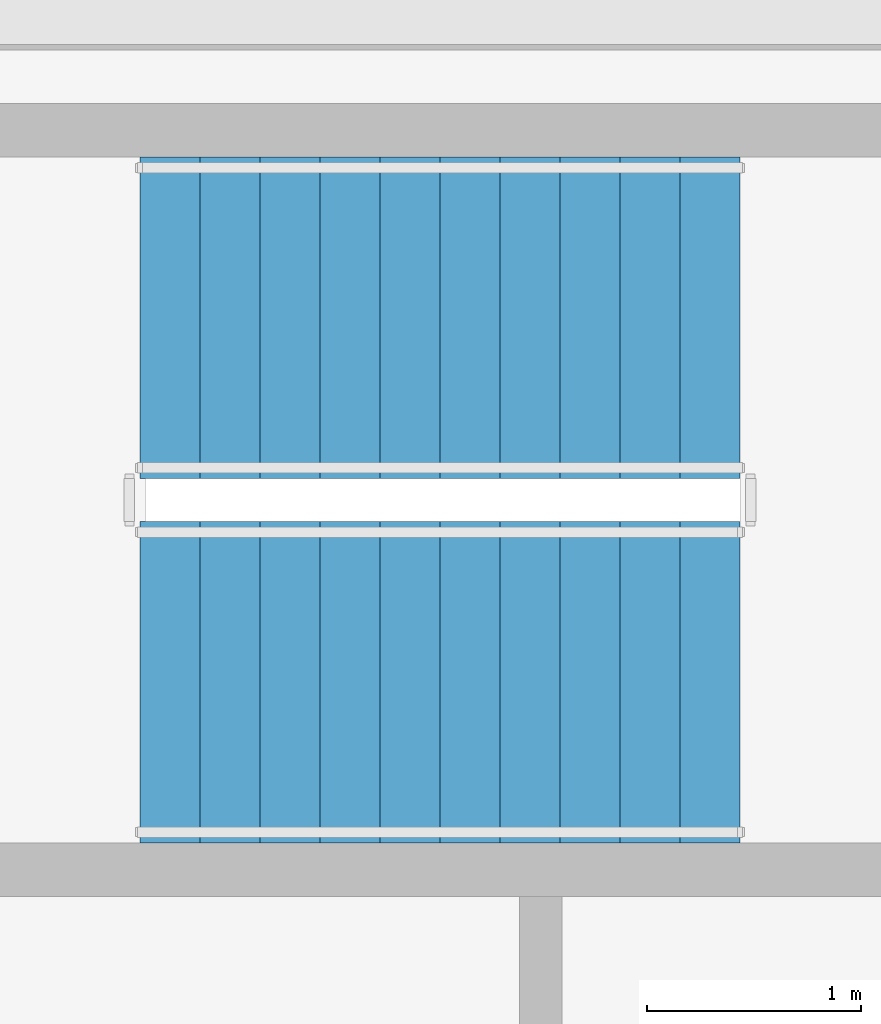
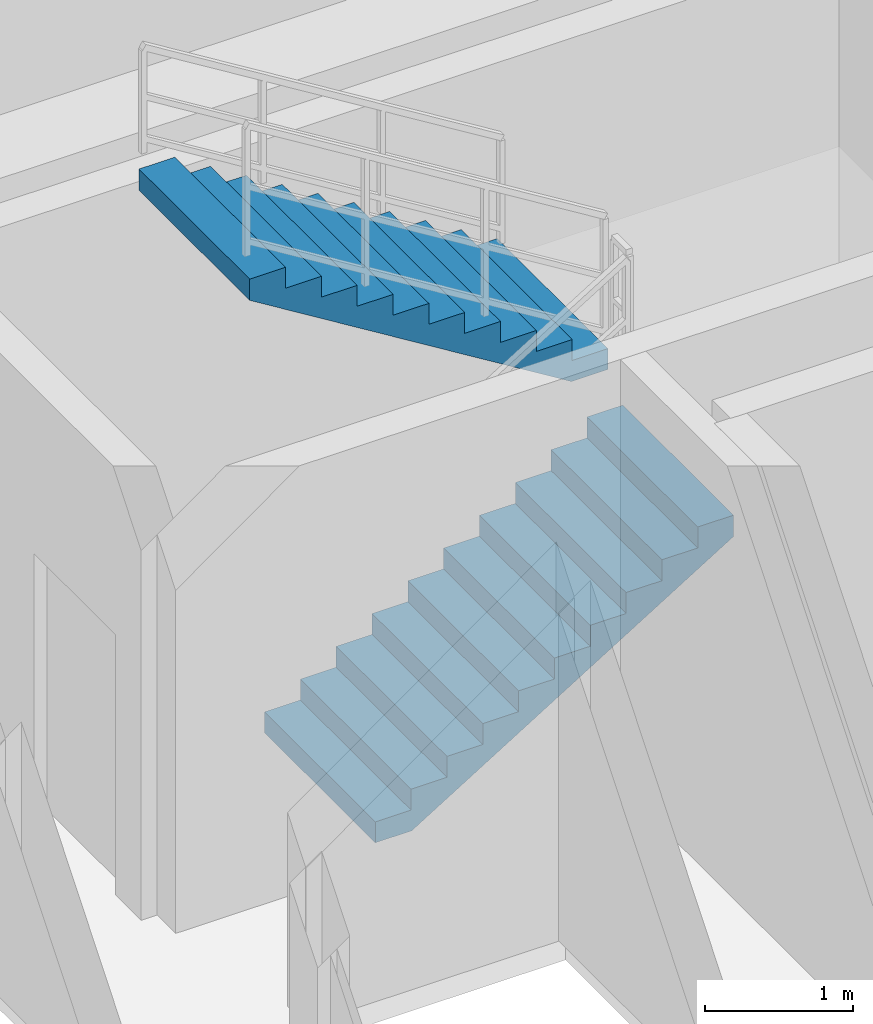
# One storey, part 11 of 14: 2 stair flights, 1 element without a shape of its own.
"""IFC4 building model written with IfcOpenShell, lengths in metres."""

from ifc_helpers import new_model, si_unit, direction, frame, origin, place, context, subcontext, project, spatial, polyline, outline, extrude, material, type_object, element, aggregate, save


model = new_model("IFC4")

# Units and contexts
model_context = context("Model", 3, precision=1e-05, world=origin(), true_north=direction((0.0, 1.0)))
body_context = subcontext(model_context, "Body", "Model", "MODEL_VIEW")
ifc_project = project(units=[si_unit("LENGTHUNIT", "METRE"), si_unit("AREAUNIT", "SQUARE_METRE"), si_unit("VOLUMEUNIT", "CUBIC_METRE"), si_unit("PLANEANGLEUNIT", "RADIAN"), si_unit("MASSUNIT", "GRAM", prefix="KILO")], contexts=[model_context])

# Site, building, storey
site_placement = place(None, origin())
site = spatial("IfcSite", under=ifc_project, at=site_placement, CompositionType="ELEMENT")
building_placement = place(site_placement, origin())
building = spatial("IfcBuilding", under=site, at=building_placement, Name="Zulverin Broadcast Headquarters", CompositionType="ELEMENT")
storey_placement = place(building_placement, frame((0.0, 0.0, 40.199951171875)))
storey = spatial("IfcBuildingStorey", under=building, at=storey_placement, Name="L09", CompositionType="ELEMENT", Elevation=40.199951171875)

# Stair, stair flights
ifc_material = material(Name="Concrete C40/50", Category="concrete")
stair_type = type_object("IfcStairType", Name="ST-CORE-1500", PredefinedType="HALF_TURN_STAIR", material=ifc_material)
stair_placement = place(storey_placement, origin())
stair = element("IfcStair", 1, at=stair_placement, inside=storey, type_object=stair_type, Name="L09 Core Exit Stair ST-1", PredefinedType="HALF_TURN_STAIR")
stair_flight_type = type_object("IfcStairFlightType", Name="SF-CORE-1500", PredefinedType="STRAIGHT", material=ifc_material)
stair_flight_1_placement = place(storey_placement, frame((40.1298828125, 29.800048828125, 0.0), z_axis=(0.0, 0.0, 1.0), x_axis=(1.0, 0.0, 0.0)))
stair_flight_1 = element("IfcStairFlight", 2, at=stair_flight_1_placement, type_object=stair_flight_type, Name="ST-1 flight 1", NumberOfRisers=11, NumberOfTreads=10, PredefinedType="STRAIGHT", RiserHeight=0.172727273, TreadLength=0.28, context=body_context, shape_type="SweptSolid", body=[
    extrude(outline(polyline([(0.0, 0.0), (0.0, 0.172607421875), (0.280029296875, 0.172607421875), (0.280029296875, 0.345458984375), (0.56005859375, 0.345458984375), (0.56005859375, 0.51806640625), (0.840087890625, 0.51806640625), (0.840087890625, 0.69091796875), (1.1201171875, 0.69091796875), (1.1201171875, 0.863525390625), (1.39990234375, 0.863525390625), (1.39990234375, 1.036376953125), (1.679931640625, 1.036376953125), (1.679931640625, 1.208984375), (1.9599609375, 1.208984375), (1.9599609375, 1.3818359375), (2.239990234375, 1.3818359375), (2.239990234375, 1.554443359375), (2.52001953125, 1.554443359375), (2.52001953125, 1.727294921875), (2.800048828125, 1.727294921875), (2.800048828125, 1.89990234375), (2.800048828125, 1.551025390625), (0.285400390625, 0.0), (0.0, 0.0)])), frame((0.0, 0.75, 0.0), z_axis=(0.0, -1.0, 0.0), x_axis=(1.0, 0.0, 0.0)), (0.0, 0.0, 1.0), 1.5),
])
stair_flight_2_placement = place(storey_placement, frame((42.929931640625, 31.5, 1.900146484375), z_axis=(0.0, 0.0, 1.0), x_axis=(-1.0, 0.0, 0.0)))
stair_flight_2 = element("IfcStairFlight", 3, at=stair_flight_2_placement, type_object=stair_flight_type, Name="ST-1 flight 2", NumberOfRisers=11, NumberOfTreads=10, PredefinedType="STRAIGHT", RiserHeight=0.172727273, TreadLength=0.28, context=body_context, shape_type="SweptSolid", body=[
    extrude(outline(polyline([(0.0, 0.0), (0.0, 0.172607421875), (0.280029296875, 0.172607421875), (0.280029296875, 0.345458984375), (0.56005859375, 0.345458984375), (0.56005859375, 0.51806640625), (0.840087890625, 0.51806640625), (0.840087890625, 0.69091796875), (1.1201171875, 0.69091796875), (1.1201171875, 0.863525390625), (1.39990234375, 0.863525390625), (1.39990234375, 1.036376953125), (1.679931640625, 1.036376953125), (1.679931640625, 1.208984375), (1.9599609375, 1.208984375), (1.9599609375, 1.3818359375), (2.239990234375, 1.3818359375), (2.239990234375, 1.554443359375), (2.52001953125, 1.554443359375), (2.52001953125, 1.727294921875), (2.800048828125, 1.727294921875), (2.800048828125, 1.89990234375), (2.800048828125, 1.551025390625), (0.285400390625, 0.0), (0.0, 0.0)])), frame((0.0, 0.75, 0.0), z_axis=(0.0, -1.0, 0.0), x_axis=(1.0, 0.0, 0.0)), (0.0, 0.0, 1.0), 1.5),
])
aggregate(stair, [stair_flight_1, stair_flight_2])

save(model, "model.ifc")
